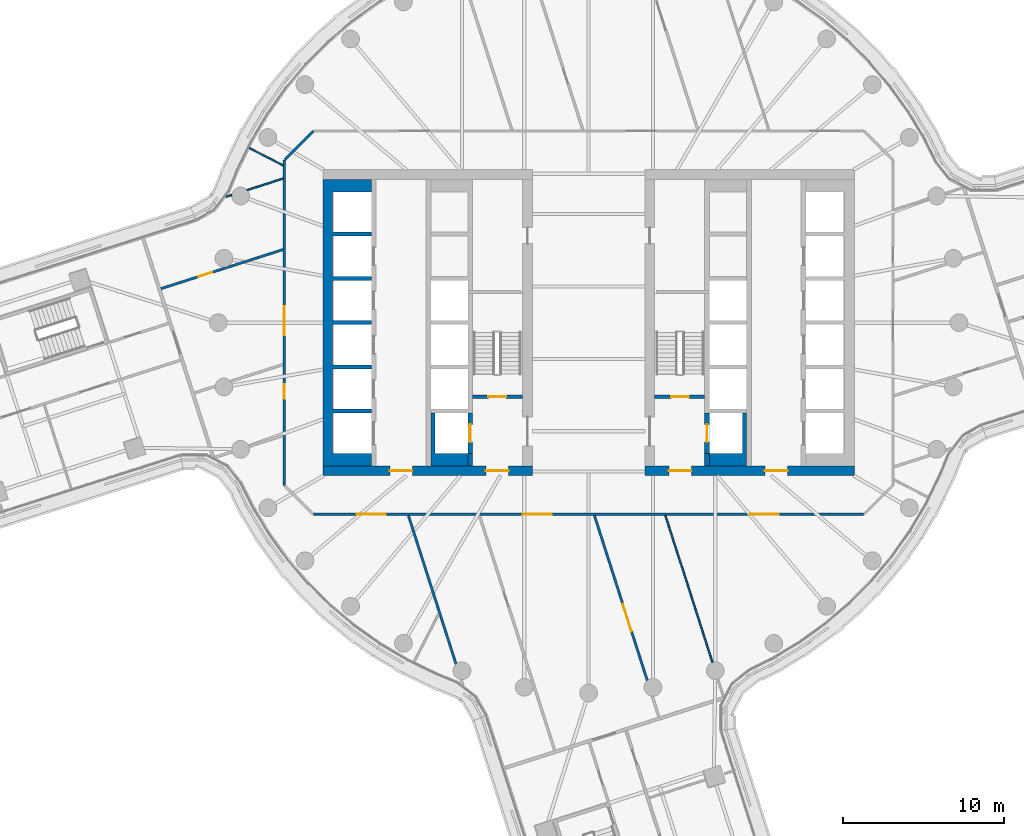
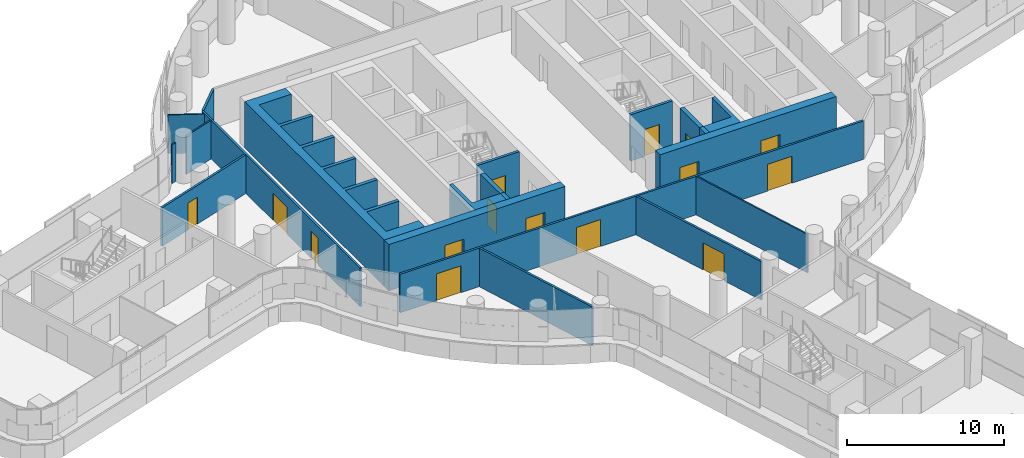
# One storey, part 19 of 30: 21 walls, 15 doors, 15 openings.
"""IFC4 building model written with IfcOpenShell, lengths in metres."""

from ifc_helpers import new_model, si_unit, direction, frame, frame_2d, origin, place, context, subcontext, project, spatial, polyline, rectangle, outline, extrude, material, layer, layer_set, type_object, element, fill, save


model = new_model("IFC4")

# Units and contexts
model_context = context("Model", 3, precision=1e-05, world=origin(), true_north=direction((0.0, 1.0)))
body_context = subcontext(model_context, "Body", "Model", "MODEL_VIEW")
ifc_project = project(units=[si_unit("LENGTHUNIT", "METRE"), si_unit("AREAUNIT", "SQUARE_METRE"), si_unit("VOLUMEUNIT", "CUBIC_METRE"), si_unit("PLANEANGLEUNIT", "RADIAN"), si_unit("MASSUNIT", "GRAM", prefix="KILO")], contexts=[model_context])

# Site, building, storey
site_placement = place(None, origin())
site = spatial("IfcSite", under=ifc_project, at=site_placement, CompositionType="ELEMENT")
building_placement = place(site_placement, origin())
building = spatial("IfcBuilding", under=site, at=building_placement, Name="Tamarind Cross Interchange Tower", CompositionType="ELEMENT")
storey_placement = place(building_placement, frame((0.0, 0.0, 98.5)))
storey = spatial("IfcBuildingStorey", under=building, at=storey_placement, Name="L23", CompositionType="ELEMENT", Elevation=98.5)

# Wall, openings, doors
ifc_material_1 = material(Name="Concrete C70", Category="concrete")
ifc_layer_1 = layer(ifc_material_1, 0.60009765625)
ifc_layer_set_1 = layer_set([ifc_layer_1], Name="Concrete C70")
wall_type_1 = type_object("IfcWallType", Name="Core wall 600 mm Concrete C70", PredefinedType="SHEAR", material=ifc_layer_set_1)
wall_1_placement = place(storey_placement, frame((-16.5, -9.199951171875, 0.0), z_axis=(0.0, 0.0, 1.0), x_axis=(1.0, 0.0, 0.0)))
wall_1 = element("IfcWall", 1, at=wall_1_placement, inside=storey, type_object=wall_type_1, Name="Core wall CWL-L23-W-S", PredefinedType="SHEAR", context=body_context, shape_type="SweptSolid", body=[
    extrude(rectangle(XDim=13.0, YDim=0.60009765625, at=frame_2d((6.5, 0.0))), origin(), (0.0, 0.0, 1.0), 3.610107421875),
])
opening_1_placement = place(wall_1_placement, frame((4.14990234375, 0.0, 0.0)))
opening_1 = element("IfcOpeningElement", 2, at=opening_1_placement, cuts=wall_1, Name="Opening DCW1", PredefinedType="OPENING", context=body_context, shape_type="SweptSolid", body=[
    extrude(rectangle(XDim=1.39990234375, YDim=2.10009765625, at=frame_2d((0.699951171875, 1.050048828125))), frame((0.0, 0.31005859375, 0.0), z_axis=(0.0, -1.0, 0.0), x_axis=(1.0, 0.0, 0.0)), (0.0, 0.0, 1.0), 0.6201171875),
])
opening_2_placement = place(wall_1_placement, frame((10.125, 0.0, 0.0)))
opening_2 = element("IfcOpeningElement", 3, at=opening_2_placement, cuts=wall_1, Name="Opening DCWF", PredefinedType="OPENING", context=body_context, shape_type="SweptSolid", body=[
    extrude(rectangle(XDim=1.39990234375, YDim=2.10009765625, at=frame_2d((0.699951171875, 1.050048828125))), frame((0.0, 0.31005859375, 0.0), z_axis=(0.0, -1.0, 0.0), x_axis=(1.0, 0.0, 0.0)), (0.0, 0.0, 1.0), 0.6201171875),
])
ifc_material_2 = material(Name="Steel, fire-resisting", Category="steel")
door_type_1 = type_object("IfcDoorType", Name="Core fire door 1400 x 2100 FD90", OperationType="SINGLE_SWING_LEFT", PredefinedType="DOOR", material=ifc_material_2)
door_1_placement = place(opening_1_placement, origin())
door_1 = element("IfcDoor", 4, at=door_1_placement, inside=storey, type_object=door_type_1, Name="L23 lift lobby door", OperationType="SINGLE_SWING_LEFT", OverallHeight=2.10009765625, OverallWidth=1.39990234375, PredefinedType="DOOR", context=body_context, shape_type="SweptSolid", body=[
    extrude(rectangle(XDim=1.39990234375, YDim=2.10009765625, at=frame_2d((0.699951171875, 1.050048828125))), frame((0.0, 0.02490234375, 0.0), z_axis=(0.0, -1.0, 0.0), x_axis=(1.0, 0.0, 0.0)), (0.0, 0.0, 1.0), 0.050048828125),
])
fill(opening_1, door_1)
door_2_placement = place(opening_2_placement, origin())
door_2 = element("IfcDoor", 5, at=door_2_placement, inside=storey, type_object=door_type_1, Name="L23 firefighting lobby end door", OperationType="SINGLE_SWING_LEFT", OverallHeight=2.10009765625, OverallWidth=1.39990234375, PredefinedType="DOOR", context=body_context, shape_type="SweptSolid", body=[
    extrude(rectangle(XDim=1.39990234375, YDim=2.10009765625, at=frame_2d((0.699951171875, 1.050048828125))), frame((0.0, 0.02490234375, 0.0), z_axis=(0.0, -1.0, 0.0), x_axis=(1.0, 0.0, 0.0)), (0.0, 0.0, 1.0), 0.050048828125),
])
fill(opening_2, door_2)

# Wall
wall_2_placement = place(storey_placement, origin())
element("IfcWall", 6, at=wall_2_placement, inside=storey, type_object=wall_type_1, Name="Core wall CWL-L23-W-A", PredefinedType="SHEAR", context=body_context, shape_type="SweptSolid", body=[
    extrude(outline(polyline([(-13.5, -8.89990234375), (-13.5, -8.125), (-15.89990234375, -8.125), (-15.89990234375, -5.625), (-13.5, -5.625), (-13.5, -5.375), (-15.89990234375, -5.375), (-15.89990234375, -2.875), (-13.5, -2.875), (-13.5, -2.625), (-15.89990234375, -2.625), (-15.89990234375, -0.125), (-13.5, -0.125), (-13.5, 0.125), (-15.89990234375, 0.125), (-15.89990234375, 2.625), (-13.5, 2.625), (-13.5, 2.875), (-15.89990234375, 2.875), (-15.89990234375, 5.375), (-13.5, 5.375), (-13.5, 5.625), (-15.89990234375, 5.625), (-15.89990234375, 8.125), (-13.5, 8.125), (-13.5, 8.89990234375), (-15.89990234375, 8.89990234375), (-16.5, 8.89990234375), (-16.5, -8.89990234375), (-15.89990234375, -8.89990234375), (-13.5, -8.89990234375)])), origin(), (0.0, 0.0, 1.0), 3.610107421875),
])

# Wall, openings, doors
wall_3_placement = place(storey_placement, frame((16.5, -9.199951171875, 0.0), z_axis=(0.0, 0.0, 1.0), x_axis=(-1.0, 0.0, 0.0)))
wall_3 = element("IfcWall", 7, at=wall_3_placement, inside=storey, type_object=wall_type_1, Name="Core wall CWL-L23-E-S", PredefinedType="SHEAR", context=body_context, shape_type="SweptSolid", body=[
    extrude(rectangle(XDim=13.0, YDim=0.60009765625, at=frame_2d((6.5, 0.0))), origin(), (0.0, 0.0, 1.0), 3.610107421875),
])
opening_3_placement = place(wall_3_placement, frame((4.14990234375, 0.0, 0.0)))
opening_3 = element("IfcOpeningElement", 8, at=opening_3_placement, cuts=wall_3, Name="Opening DCE1", PredefinedType="OPENING", context=body_context, shape_type="SweptSolid", body=[
    extrude(rectangle(XDim=1.39990234375, YDim=2.10009765625, at=frame_2d((0.699951171875, 1.050048828125))), frame((0.0, 0.31005859375, 0.0), z_axis=(0.0, -1.0, 0.0), x_axis=(1.0, 0.0, 0.0)), (0.0, 0.0, 1.0), 0.6201171875),
])
opening_4_placement = place(wall_3_placement, frame((10.125, 0.0, 0.0)))
opening_4 = element("IfcOpeningElement", 9, at=opening_4_placement, cuts=wall_3, Name="Opening DCEF", PredefinedType="OPENING", context=body_context, shape_type="SweptSolid", body=[
    extrude(rectangle(XDim=1.39990234375, YDim=2.10009765625, at=frame_2d((0.699951171875, 1.050048828125))), frame((0.0, 0.31005859375, 0.0), z_axis=(0.0, -1.0, 0.0), x_axis=(1.0, 0.0, 0.0)), (0.0, 0.0, 1.0), 0.6201171875),
])
door_3_placement = place(opening_3_placement, origin())
door_3 = element("IfcDoor", 10, at=door_3_placement, inside=storey, type_object=door_type_1, Name="L23 lift lobby door", OperationType="SINGLE_SWING_LEFT", OverallHeight=2.10009765625, OverallWidth=1.39990234375, PredefinedType="DOOR", context=body_context, shape_type="SweptSolid", body=[
    extrude(rectangle(XDim=1.39990234375, YDim=2.10009765625, at=frame_2d((0.699951171875, 1.050048828125))), frame((0.0, 0.02490234375, 0.0), z_axis=(0.0, -1.0, 0.0), x_axis=(1.0, 0.0, 0.0)), (0.0, 0.0, 1.0), 0.050048828125),
])
fill(opening_3, door_3)
door_4_placement = place(opening_4_placement, origin())
door_4 = element("IfcDoor", 11, at=door_4_placement, inside=storey, type_object=door_type_1, Name="L23 firefighting lobby end door", OperationType="SINGLE_SWING_LEFT", OverallHeight=2.10009765625, OverallWidth=1.39990234375, PredefinedType="DOOR", context=body_context, shape_type="SweptSolid", body=[
    extrude(rectangle(XDim=1.39990234375, YDim=2.10009765625, at=frame_2d((0.699951171875, 1.050048828125))), frame((0.0, 0.02490234375, 0.0), z_axis=(0.0, -1.0, 0.0), x_axis=(1.0, 0.0, 0.0)), (0.0, 0.0, 1.0), 0.050048828125),
])
fill(opening_4, door_4)

# Walls
ifc_layer_2 = layer(ifc_material_1, 0.300048828125)
ifc_layer_set_2 = layer_set([ifc_layer_2], Name="Concrete C70")
wall_type_2 = type_object("IfcWallType", Name="Core web wall 300 mm Concrete C70", PredefinedType="SHEAR", material=ifc_layer_set_2)
wall_4_placement = place(storey_placement, origin())
element("IfcWall", 12, at=wall_4_placement, inside=storey, type_object=wall_type_2, Name="Core wall CWL-L23-W-BS", PredefinedType="SHEAR", context=body_context, shape_type="SweptSolid", body=[
    extrude(outline(polyline([(-7.5, -8.125), (-9.550048828125, -8.125), (-9.550048828125, -5.625), (-9.800048828125, -5.625), (-9.800048828125, -8.125), (-9.800048828125, -8.89990234375), (-7.5, -8.89990234375), (-7.5, -8.125)])), origin(), (0.0, 0.0, 1.0), 3.610107421875),
])
wall_5_placement = place(storey_placement, frame((-7.35009765625, -8.89990234375, 0.0), z_axis=(0.0, 0.0, 1.0), x_axis=(0.0, 1.0, 0.0)))
element("IfcWall", 13, at=wall_5_placement, inside=storey, type_object=wall_type_2, Name="Core wall CWL-L23-W-BW", PredefinedType="SHEAR", context=body_context, shape_type="SweptSolid", body=[
    extrude(rectangle(XDim=0.77490234375, YDim=0.300048828125, at=frame_2d((0.387451171875, 0.0))), origin(), (0.0, 0.0, 1.0), 3.610107421875),
])

# Wall, opening, door
wall_6_placement = place(storey_placement, frame((-7.35009765625, -8.125, 0.0), z_axis=(0.0, 0.0, 1.0), x_axis=(0.0, 1.0, 0.0)))
wall_6 = element("IfcWall", 14, at=wall_6_placement, inside=storey, type_object=wall_type_2, Name="Core wall CWL-L23-W-FF", PredefinedType="SHEAR", context=body_context, shape_type="SweptSolid", body=[
    extrude(rectangle(XDim=2.5, YDim=0.300048828125, at=frame_2d((1.25, 0.0))), origin(), (0.0, 0.0, 1.0), 3.610107421875),
])
opening_5_placement = place(wall_6_placement, frame((0.699951171875, 0.0, 0.0)))
opening_5 = element("IfcOpeningElement", 15, at=opening_5_placement, cuts=wall_6, Name="Opening LD7L23", PredefinedType="OPENING", context=body_context, shape_type="SweptSolid", body=[
    extrude(rectangle(XDim=1.10009765625, YDim=2.10009765625, at=frame_2d((0.550048828125, 1.050048828125))), frame((0.0, 0.159912109375, 0.0), z_axis=(0.0, -1.0, 0.0), x_axis=(1.0, 0.0, 0.0)), (0.0, 0.0, 1.0), 0.320068359375),
])
ifc_material_3 = material(Name="Stainless steel panel", Category="steel")
door_type_2 = type_object("IfcDoorType", Name="Lift landing door 1100 x 2100 E 120", OperationType="SLIDING_TO_LEFT", PredefinedType="DOOR", material=ifc_material_3)
door_5_placement = place(opening_5_placement, origin())
door_5 = element("IfcDoor", 16, at=door_5_placement, inside=storey, type_object=door_type_2, Name="L23 landing door LF7", OperationType="SLIDING_TO_LEFT", OverallHeight=2.10009765625, OverallWidth=1.10009765625, PredefinedType="DOOR", context=body_context, shape_type="SweptSolid", body=[
    extrude(rectangle(XDim=1.10009765625, YDim=2.10009765625, at=frame_2d((0.550048828125, 1.050048828125))), frame((0.0, 0.02490234375, 0.0), z_axis=(0.0, -1.0, 0.0), x_axis=(1.0, 0.0, 0.0)), (0.0, 0.0, 1.0), 0.050048828125),
])
fill(opening_5, door_5)

# Walls
wall_7_placement = place(storey_placement, origin())
element("IfcWall", 17, at=wall_7_placement, inside=storey, type_object=wall_type_2, Name="Core wall CWL-L23-E-BS", PredefinedType="SHEAR", context=body_context, shape_type="SweptSolid", body=[
    extrude(outline(polyline([(7.5, -8.125), (7.5, -8.89990234375), (9.800048828125, -8.89990234375), (9.800048828125, -8.125), (9.800048828125, -5.625), (9.550048828125, -5.625), (9.550048828125, -8.125), (7.5, -8.125)])), origin(), (0.0, 0.0, 1.0), 3.610107421875),
])
wall_8_placement = place(storey_placement, frame((7.35009765625, -8.89990234375, 0.0), z_axis=(0.0, 0.0, 1.0), x_axis=(0.0, 1.0, 0.0)))
element("IfcWall", 18, at=wall_8_placement, inside=storey, type_object=wall_type_2, Name="Core wall CWL-L23-E-BW", PredefinedType="SHEAR", context=body_context, shape_type="SweptSolid", body=[
    extrude(rectangle(XDim=0.77490234375, YDim=0.300048828125, at=frame_2d((0.387451171875, 0.0))), origin(), (0.0, 0.0, 1.0), 3.610107421875),
])

# Wall, opening, door
wall_9_placement = place(storey_placement, frame((7.35009765625, -8.125, 0.0), z_axis=(0.0, 0.0, 1.0), x_axis=(0.0, 1.0, 0.0)))
wall_9 = element("IfcWall", 19, at=wall_9_placement, inside=storey, type_object=wall_type_2, Name="Core wall CWL-L23-E-FF", PredefinedType="SHEAR", context=body_context, shape_type="SweptSolid", body=[
    extrude(rectangle(XDim=2.5, YDim=0.300048828125, at=frame_2d((1.25, 0.0))), origin(), (0.0, 0.0, 1.0), 3.610107421875),
])
opening_6_placement = place(wall_9_placement, frame((0.699951171875, 0.0, 0.0)))
opening_6 = element("IfcOpeningElement", 20, at=opening_6_placement, cuts=wall_9, Name="Opening LD19L23", PredefinedType="OPENING", context=body_context, shape_type="SweptSolid", body=[
    extrude(rectangle(XDim=1.10009765625, YDim=2.10009765625, at=frame_2d((0.550048828125, 1.050048828125))), frame((0.0, 0.159912109375, 0.0), z_axis=(0.0, -1.0, 0.0), x_axis=(1.0, 0.0, 0.0)), (0.0, 0.0, 1.0), 0.320068359375),
])
door_6_placement = place(opening_6_placement, origin())
door_6 = element("IfcDoor", 21, at=door_6_placement, inside=storey, type_object=door_type_2, Name="L23 landing door LF19", OperationType="SLIDING_TO_LEFT", OverallHeight=2.10009765625, OverallWidth=1.10009765625, PredefinedType="DOOR", context=body_context, shape_type="SweptSolid", body=[
    extrude(rectangle(XDim=1.10009765625, YDim=2.10009765625, at=frame_2d((0.550048828125, 1.050048828125))), frame((0.0, 0.02490234375, 0.0), z_axis=(0.0, -1.0, 0.0), x_axis=(1.0, 0.0, 0.0)), (0.0, 0.0, 1.0), 0.050048828125),
])
fill(opening_6, door_6)

# Walls
ifc_material_4 = material(Name="Gypsum board partition on steel studs", Category="steel")
ifc_layer_3 = layer(ifc_material_4, 0.10009765625)
ifc_layer_set_3 = layer_set([ifc_layer_3], Name="Gypsum board partition on steel studs")
wall_type_3 = type_object("IfcWallType", Name="Partition 100 mm EI 90", PredefinedType="PARTITIONING", material=ifc_layer_set_3)
wall_10_placement = place(storey_placement, frame((4.767822265625, -11.971435546875, 0.0), z_axis=(0.0, 0.0, 1.0), x_axis=(0.305034487075, -0.952341305255, 0.0)))
element("IfcWall", 22, at=wall_10_placement, inside=storey, type_object=wall_type_3, Name="Partition L23-024", PredefinedType="PARTITIONING", context=body_context, shape_type="SweptSolid", body=[
    extrude(rectangle(XDim=9.585205078125, YDim=0.10009765625, at=frame_2d((4.79248046875, 0.0))), origin(), (0.0, 0.0, 1.0), 3.010009765625),
])
wall_11_placement = place(storey_placement, frame((-21.055908203125, 10.83837890625, 0.0), z_axis=(0.0, 0.0, 1.0), x_axis=(0.889201507028, -0.45751577011, 0.0)))
element("IfcWall", 23, at=wall_11_placement, inside=storey, type_object=wall_type_3, Name="Partition L23-039", PredefinedType="PARTITIONING", context=body_context, shape_type="SweptSolid", body=[
    extrude(rectangle(XDim=2.334716796875, YDim=0.10009765625, at=frame_2d((1.16748046875, 0.0))), origin(), (0.0, 0.0, 1.0), 3.010009765625),
])
wall_12_placement = place(storey_placement, frame((-22.51220703125, 7.81640625, 0.0), z_axis=(0.0, 0.0, 1.0), x_axis=(0.952462013357, 0.304657370026, 0.0)))
element("IfcWall", 24, at=wall_12_placement, inside=storey, type_object=wall_type_3, Name="Partition L23-051", PredefinedType="PARTITIONING", context=body_context, shape_type="SweptSolid", body=[
    extrude(rectangle(XDim=0.374267578125, YDim=0.10009765625, at=frame_2d((0.18701171875, 0.0))), origin(), (0.0, 0.0, 1.0), 3.010009765625),
])
wall_13_placement = place(storey_placement, frame((-21.213623046875, 8.232177734375, 0.0), z_axis=(0.0, 0.0, 1.0), x_axis=(0.95236031231, 0.30497513921, 0.0)))
element("IfcWall", 25, at=wall_13_placement, inside=storey, type_object=wall_type_3, Name="Partition L23-052", PredefinedType="PARTITIONING", context=body_context, shape_type="SweptSolid", body=[
    extrude(rectangle(XDim=2.354248046875, YDim=0.10009765625, at=frame_2d((1.17724609375, 0.0))), origin(), (0.0, 0.0, 1.0), 3.010009765625),
])
ifc_layer_4 = layer(ifc_material_4, 0.14990234375)
ifc_layer_set_4 = layer_set([ifc_layer_4], Name="Gypsum board partition on steel studs")
wall_type_4 = type_object("IfcWallType", Name="Partition 150 mm EI 120", PredefinedType="PARTITIONING", material=ifc_layer_set_4)
wall_14_placement = place(storey_placement, frame((-11.190185546875, -11.98095703125, 0.0), z_axis=(0.0, 0.0, 1.0), x_axis=(0.305161297435, -0.952300678645, 0.0)))
element("IfcWall", 26, at=wall_14_placement, inside=storey, type_object=wall_type_4, Name="Partition L23-006", PredefinedType="PARTITIONING", context=body_context, shape_type="SweptSolid", body=[
    extrude(rectangle(XDim=9.69482421875, YDim=0.14990234375, at=frame_2d((4.847412109375, 0.0))), origin(), (0.0, 0.0, 1.0), 3.010009765625),
])

# Wall, opening, door
wall_15_placement = place(storey_placement, frame((0.36083984375, -11.98095703125, 0.0), z_axis=(0.0, 0.0, 1.0), x_axis=(0.305035714762, -0.952340912027, 0.0)))
wall_15 = element("IfcWall", 27, at=wall_15_placement, inside=storey, type_object=wall_type_4, Name="Partition L23-019", PredefinedType="PARTITIONING", context=body_context, shape_type="SweptSolid", body=[
    extrude(rectangle(XDim=10.7666015625, YDim=0.14990234375, at=frame_2d((5.38330078125, 0.0))), origin(), (0.0, 0.0, 1.0), 3.010009765625),
])
opening_7_placement = place(wall_15_placement, frame((5.764892578125, 0.0, 0.0)))
opening_7 = element("IfcOpeningElement", 28, at=opening_7_placement, cuts=wall_15, Name="Opening D11", PredefinedType="OPENING", context=body_context, shape_type="SweptSolid", body=[
    extrude(rectangle(XDim=1.800048828125, YDim=2.10009765625, at=frame_2d((0.89990234375, 1.050048828125))), frame((0.0, 0.0849609375, 0.0), z_axis=(0.0, -1.0, 0.0), x_axis=(1.0, 0.0, 0.0)), (0.0, 0.0, 1.0), 0.169921875),
])
ifc_material_5 = material(Name="Fire-resisting door set")
door_type_3 = type_object("IfcDoorType", Name="Interior door 1800 x 2100 FD60S", OperationType="DOUBLE_DOOR_SINGLE_SWING", PredefinedType="DOOR", material=ifc_material_5)
door_7_placement = place(opening_7_placement, origin())
door_7 = element("IfcDoor", 29, at=door_7_placement, inside=storey, type_object=door_type_3, Name="Door D11", OperationType="DOUBLE_DOOR_SINGLE_SWING", OverallHeight=2.10009765625, OverallWidth=1.800048828125, PredefinedType="DOOR", context=body_context, shape_type="SweptSolid", body=[
    extrude(rectangle(XDim=1.800048828125, YDim=2.10009765625, at=frame_2d((0.89990234375, 1.050048828125))), frame((0.0, 0.02490234375, 0.0), z_axis=(0.0, -1.0, 0.0), x_axis=(1.0, 0.0, 0.0)), (0.0, 0.0, 1.0), 0.050048828125),
])
fill(opening_7, door_7)

# Wall, openings, doors
wall_16_placement = place(storey_placement, frame((-17.10009765625, -11.89990234375, 0.0), z_axis=(0.0, 0.0, 1.0), x_axis=(1.0, 0.0, 0.0)))
wall_16 = element("IfcWall", 30, at=wall_16_placement, inside=storey, type_object=wall_type_4, Name="Partition L23-041", PredefinedType="PARTITIONING", context=body_context, shape_type="SweptSolid", body=[
    extrude(rectangle(XDim=34.1650390625, YDim=0.14990234375, at=frame_2d((17.08251953125, 0.0))), origin(), (0.0, 0.0, 1.0), 3.010009765625),
])
opening_8_placement = place(wall_16_placement, frame((12.9951171875, 0.0, 0.0)))
opening_8 = element("IfcOpeningElement", 31, at=opening_8_placement, cuts=wall_16, Name="Opening D19", PredefinedType="OPENING", context=body_context, shape_type="SweptSolid", body=[
    extrude(rectangle(XDim=1.800048828125, YDim=2.10009765625, at=frame_2d((0.89990234375, 1.050048828125))), frame((0.0, 0.0849609375, 0.0), z_axis=(0.0, -1.0, 0.0), x_axis=(1.0, 0.0, 0.0)), (0.0, 0.0, 1.0), 0.169921875),
])
opening_9_placement = place(wall_16_placement, frame((2.699951171875, 0.0, 0.0)))
opening_9 = element("IfcOpeningElement", 32, at=opening_9_placement, cuts=wall_16, Name="Opening D20", PredefinedType="OPENING", context=body_context, shape_type="SweptSolid", body=[
    extrude(rectangle(XDim=1.800048828125, YDim=2.10009765625, at=frame_2d((0.89990234375, 1.050048828125))), frame((0.0, 0.0849609375, 0.0), z_axis=(0.0, -1.0, 0.0), x_axis=(1.0, 0.0, 0.0)), (0.0, 0.0, 1.0), 0.169921875),
])
opening_10_placement = place(wall_16_placement, frame((27.094970703125, 0.0, 0.0)))
opening_10 = element("IfcOpeningElement", 33, at=opening_10_placement, cuts=wall_16, Name="Opening D21", PredefinedType="OPENING", context=body_context, shape_type="SweptSolid", body=[
    extrude(rectangle(XDim=1.800048828125, YDim=2.10009765625, at=frame_2d((0.89990234375, 1.050048828125))), frame((0.0, 0.0849609375, 0.0), z_axis=(0.0, -1.0, 0.0), x_axis=(1.0, 0.0, 0.0)), (0.0, 0.0, 1.0), 0.169921875),
])
door_8_placement = place(opening_8_placement, origin())
door_8 = element("IfcDoor", 34, at=door_8_placement, inside=storey, type_object=door_type_3, Name="Door D19", OperationType="DOUBLE_DOOR_SINGLE_SWING", OverallHeight=2.10009765625, OverallWidth=1.800048828125, PredefinedType="DOOR", context=body_context, shape_type="SweptSolid", body=[
    extrude(rectangle(XDim=1.800048828125, YDim=2.10009765625, at=frame_2d((0.89990234375, 1.050048828125))), frame((0.0, 0.02490234375, 0.0), z_axis=(0.0, -1.0, 0.0), x_axis=(1.0, 0.0, 0.0)), (0.0, 0.0, 1.0), 0.050048828125),
])
fill(opening_8, door_8)
door_9_placement = place(opening_9_placement, frame((1.800048828125, 0.0, 0.0), z_axis=(0.0, 0.0, 1.0), x_axis=(-1.0, 0.0, 0.0)))
door_9 = element("IfcDoor", 35, at=door_9_placement, inside=storey, type_object=door_type_3, Name="Door D20", OperationType="DOUBLE_DOOR_SINGLE_SWING", OverallHeight=2.10009765625, OverallWidth=1.800048828125, PredefinedType="DOOR", context=body_context, shape_type="SweptSolid", body=[
    extrude(rectangle(XDim=1.800048828125, YDim=2.10009765625, at=frame_2d((0.89990234375, 1.050048828125))), frame((0.0, 0.02490234375, 0.0), z_axis=(0.0, -1.0, 0.0), x_axis=(1.0, 0.0, 0.0)), (0.0, 0.0, 1.0), 0.050048828125),
])
fill(opening_9, door_9)
door_10_placement = place(opening_10_placement, frame((1.800048828125, 0.0, 0.0), z_axis=(0.0, 0.0, 1.0), x_axis=(-1.0, 0.0, 0.0)))
door_10 = element("IfcDoor", 36, at=door_10_placement, inside=storey, type_object=door_type_3, Name="Door D21", OperationType="DOUBLE_DOOR_SINGLE_SWING", OverallHeight=2.10009765625, OverallWidth=1.800048828125, PredefinedType="DOOR", context=body_context, shape_type="SweptSolid", body=[
    extrude(rectangle(XDim=1.800048828125, YDim=2.10009765625, at=frame_2d((0.89990234375, 1.050048828125))), frame((0.0, 0.02490234375, 0.0), z_axis=(0.0, -1.0, 0.0), x_axis=(1.0, 0.0, 0.0)), (0.0, 0.0, 1.0), 0.050048828125),
])
fill(opening_10, door_10)

# Wall, opening, door
wall_17_placement = place(storey_placement, frame((-26.560791015625, 2.109619140625, 0.0), z_axis=(0.0, 0.0, 1.0), x_axis=(0.952353244945, 0.304997207926, 0.0)))
wall_17 = element("IfcWall", 37, at=wall_17_placement, inside=storey, type_object=wall_type_4, Name="Partition L23-046", PredefinedType="PARTITIONING", context=body_context, shape_type="SweptSolid", body=[
    extrude(rectangle(XDim=7.958984375, YDim=0.14990234375, at=frame_2d((3.9794921875, 0.0))), origin(), (0.0, 0.0, 1.0), 3.010009765625),
])
opening_11_placement = place(wall_17_placement, frame((2.449951171875, 0.0, 0.0)))
opening_11 = element("IfcOpeningElement", 38, at=opening_11_placement, cuts=wall_17, Name="Opening D28", PredefinedType="OPENING", context=body_context, shape_type="SweptSolid", body=[
    extrude(rectangle(XDim=0.89990234375, YDim=2.10009765625, at=frame_2d((0.449951171875, 1.050048828125))), frame((0.0, 0.0849609375, 0.0), z_axis=(0.0, -1.0, 0.0), x_axis=(1.0, 0.0, 0.0)), (0.0, 0.0, 1.0), 0.169921875),
])
door_type_4 = type_object("IfcDoorType", Name="Interior door 900 x 2100 FD60S", OperationType="SINGLE_SWING_LEFT", PredefinedType="DOOR", material=ifc_material_5)
door_11_placement = place(opening_11_placement, origin())
door_11 = element("IfcDoor", 39, at=door_11_placement, inside=storey, type_object=door_type_4, Name="Door D28", OperationType="SINGLE_SWING_RIGHT", OverallHeight=2.10009765625, OverallWidth=0.89990234375, PredefinedType="DOOR", context=body_context, shape_type="SweptSolid", body=[
    extrude(rectangle(XDim=0.89990234375, YDim=2.10009765625, at=frame_2d((0.449951171875, 1.050048828125))), frame((0.0, 0.02490234375, 0.0), z_axis=(0.0, -1.0, 0.0), x_axis=(1.0, 0.0, 0.0)), (0.0, 0.0, 1.0), 0.050048828125),
])
fill(opening_11, door_11)

# Wall
wall_18_placement = place(storey_placement, frame((-18.87158203125, 10.12841796875, 0.0), z_axis=(0.0, 0.0, 1.0), x_axis=(0.707106781187, 0.707106781187, 0.0)))
element("IfcWall", 40, at=wall_18_placement, inside=storey, type_object=wall_type_4, Name="Partition L23-078", PredefinedType="PARTITIONING", context=body_context, shape_type="SweptSolid", body=[
    extrude(rectangle(XDim=2.50537109375, YDim=0.14990234375, at=frame_2d((1.252685546875, 0.0))), origin(), (0.0, 0.0, 1.0), 3.010009765625),
])

# Wall, openings, doors
wall_19_placement = place(storey_placement, frame((-18.89990234375, -10.10009765625, 0.0), z_axis=(0.0, 0.0, 1.0), x_axis=(0.0, 1.0, 0.0)))
wall_19 = element("IfcWall", 41, at=wall_19_placement, inside=storey, type_object=wall_type_4, Name="Partition L23-082", PredefinedType="PARTITIONING", context=body_context, shape_type="SweptSolid", body=[
    extrude(rectangle(XDim=20.2001953125, YDim=0.14990234375, at=frame_2d((10.10009765625, 0.0))), origin(), (0.0, 0.0, 1.0), 3.010009765625),
])
opening_12_placement = place(wall_19_placement, frame((9.322998046875, 0.0, 0.0)))
opening_12 = element("IfcOpeningElement", 42, at=opening_12_placement, cuts=wall_19, Name="Opening D41", PredefinedType="OPENING", context=body_context, shape_type="SweptSolid", body=[
    extrude(rectangle(XDim=1.800048828125, YDim=2.10009765625, at=frame_2d((0.89990234375, 1.050048828125))), frame((0.0, 0.0849609375, 0.0), z_axis=(0.0, -1.0, 0.0), x_axis=(1.0, 0.0, 0.0)), (0.0, 0.0, 1.0), 0.169921875),
])
opening_13_placement = place(wall_19_placement, frame((5.363037109375, 0.0, 0.0)))
opening_13 = element("IfcOpeningElement", 43, at=opening_13_placement, cuts=wall_19, Name="Opening D42", PredefinedType="OPENING", context=body_context, shape_type="SweptSolid", body=[
    extrude(rectangle(XDim=0.89990234375, YDim=2.10009765625, at=frame_2d((0.449951171875, 1.050048828125))), frame((0.0, 0.0849609375, 0.0), z_axis=(0.0, -1.0, 0.0), x_axis=(1.0, 0.0, 0.0)), (0.0, 0.0, 1.0), 0.169921875),
])
door_12_placement = place(opening_12_placement, frame((1.800048828125, 0.0, 0.0), z_axis=(0.0, 0.0, 1.0), x_axis=(-1.0, 0.0, 0.0)))
door_12 = element("IfcDoor", 44, at=door_12_placement, inside=storey, type_object=door_type_3, Name="Door D41", OperationType="DOUBLE_DOOR_SINGLE_SWING", OverallHeight=2.10009765625, OverallWidth=1.800048828125, PredefinedType="DOOR", context=body_context, shape_type="SweptSolid", body=[
    extrude(rectangle(XDim=1.800048828125, YDim=2.10009765625, at=frame_2d((0.89990234375, 1.050048828125))), frame((0.0, 0.02490234375, 0.0), z_axis=(0.0, -1.0, 0.0), x_axis=(1.0, 0.0, 0.0)), (0.0, 0.0, 1.0), 0.050048828125),
])
fill(opening_12, door_12)
door_13_placement = place(opening_13_placement, origin())
door_13 = element("IfcDoor", 45, at=door_13_placement, inside=storey, type_object=door_type_4, Name="Door D42", OperationType="SINGLE_SWING_RIGHT", OverallHeight=2.10009765625, OverallWidth=0.89990234375, PredefinedType="DOOR", context=body_context, shape_type="SweptSolid", body=[
    extrude(rectangle(XDim=0.89990234375, YDim=2.10009765625, at=frame_2d((0.449951171875, 1.050048828125))), frame((0.0, 0.02490234375, 0.0), z_axis=(0.0, -1.0, 0.0), x_axis=(1.0, 0.0, 0.0)), (0.0, 0.0, 1.0), 0.050048828125),
])
fill(opening_13, door_13)

# Wall, opening, door
ifc_material_6 = material(Name="Concrete C40", Category="concrete")
ifc_layer_5 = layer(ifc_material_6, 0.199951171875)
ifc_layer_set_5 = layer_set([ifc_layer_5], Name="Concrete C40")
wall_type_5 = type_object("IfcWallType", Name="Stair shaft wall 200 mm Concrete C40", PredefinedType="SHEAR", material=ifc_layer_set_5)
wall_20_placement = place(storey_placement, frame((-7.199951171875, -4.60009765625, 0.0), z_axis=(0.0, 0.0, 1.0), x_axis=(1.0, 0.0, 0.0)))
wall_20 = element("IfcWall", 46, at=wall_20_placement, inside=storey, type_object=wall_type_5, Name="Core wall CWL-L23-W-SD", PredefinedType="SHEAR", context=body_context, shape_type="SweptSolid", body=[
    extrude(rectangle(XDim=3.099853515625, YDim=0.199951171875, at=frame_2d((1.5498046875, 0.0))), origin(), (0.0, 0.0, 1.0), 3.610107421875),
])
opening_14_placement = place(wall_20_placement, frame((0.97509765625, 0.0, 0.0)))
opening_14 = element("IfcOpeningElement", 47, at=opening_14_placement, cuts=wall_20, Name="Opening DCW6", PredefinedType="OPENING", context=body_context, shape_type="SweptSolid", body=[
    extrude(rectangle(XDim=1.10009765625, YDim=2.10009765625, at=frame_2d((0.550048828125, 1.050048828125))), frame((0.0, 0.10986328125, 0.0), z_axis=(0.0, -1.0, 0.0), x_axis=(1.0, 0.0, 0.0)), (0.0, 0.0, 1.0), 0.219970703125),
])
door_type_5 = type_object("IfcDoorType", Name="Core fire door 1100 x 2100 FD90", OperationType="SINGLE_SWING_LEFT", PredefinedType="DOOR", material=ifc_material_2)
door_14_placement = place(opening_14_placement, origin())
door_14 = element("IfcDoor", 48, at=door_14_placement, inside=storey, type_object=door_type_5, Name="L23 stair door", OperationType="SINGLE_SWING_LEFT", OverallHeight=2.10009765625, OverallWidth=1.10009765625, PredefinedType="DOOR", context=body_context, shape_type="SweptSolid", body=[
    extrude(rectangle(XDim=1.10009765625, YDim=2.10009765625, at=frame_2d((0.550048828125, 1.050048828125))), frame((0.0, 0.02490234375, 0.0), z_axis=(0.0, -1.0, 0.0), x_axis=(1.0, 0.0, 0.0)), (0.0, 0.0, 1.0), 0.050048828125),
])
fill(opening_14, door_14)

wall_21_placement = place(storey_placement, frame((7.199951171875, -4.60009765625, 0.0), z_axis=(0.0, 0.0, 1.0), x_axis=(-1.0, 0.0, 0.0)))
wall_21 = element("IfcWall", 49, at=wall_21_placement, inside=storey, type_object=wall_type_5, Name="Core wall CWL-L23-E-SD", PredefinedType="SHEAR", context=body_context, shape_type="SweptSolid", body=[
    extrude(rectangle(XDim=3.099853515625, YDim=0.199951171875, at=frame_2d((1.5498046875, 0.0))), origin(), (0.0, 0.0, 1.0), 3.610107421875),
])
opening_15_placement = place(wall_21_placement, frame((0.97509765625, 0.0, 0.0)))
opening_15 = element("IfcOpeningElement", 50, at=opening_15_placement, cuts=wall_21, Name="Opening DCE6", PredefinedType="OPENING", context=body_context, shape_type="SweptSolid", body=[
    extrude(rectangle(XDim=1.10009765625, YDim=2.10009765625, at=frame_2d((0.550048828125, 1.050048828125))), frame((0.0, 0.10986328125, 0.0), z_axis=(0.0, -1.0, 0.0), x_axis=(1.0, 0.0, 0.0)), (0.0, 0.0, 1.0), 0.219970703125),
])
door_15_placement = place(opening_15_placement, origin())
door_15 = element("IfcDoor", 51, at=door_15_placement, inside=storey, type_object=door_type_5, Name="L23 stair door", OperationType="SINGLE_SWING_LEFT", OverallHeight=2.10009765625, OverallWidth=1.10009765625, PredefinedType="DOOR", context=body_context, shape_type="SweptSolid", body=[
    extrude(rectangle(XDim=1.10009765625, YDim=2.10009765625, at=frame_2d((0.550048828125, 1.050048828125))), frame((0.0, 0.02490234375, 0.0), z_axis=(0.0, -1.0, 0.0), x_axis=(1.0, 0.0, 0.0)), (0.0, 0.0, 1.0), 0.050048828125),
])
fill(opening_15, door_15)

save(model, "model.ifc")
